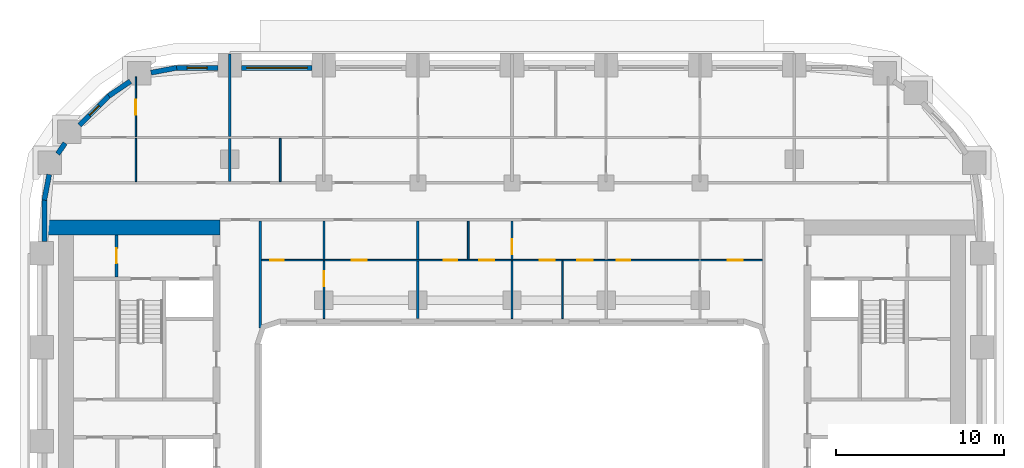
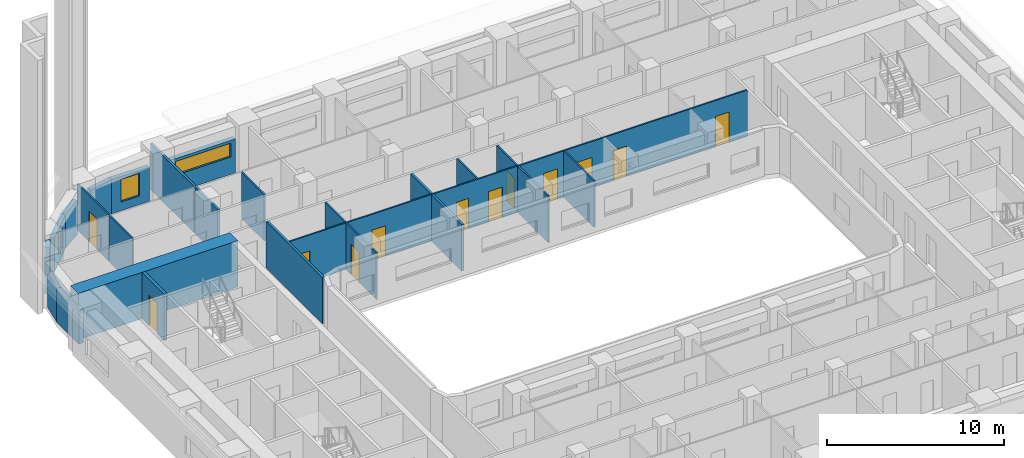
# One storey, part 7 of 22: 25 walls, 12 doors, 3 windows, 15 openings.
"""IFC4 building model written with IfcOpenShell, lengths in metres."""

from ifc_helpers import new_model, si_unit, direction, frame, frame_2d, origin, place, context, subcontext, project, spatial, rectangle, extrude, material, layer, layer_set, type_object, element, fill, save


model = new_model("IFC4")

# Units and contexts
model_context = context("Model", 3, precision=1e-05, world=origin(), true_north=direction((0.0, 1.0)))
body_context = subcontext(model_context, "Body", "Model", "MODEL_VIEW")
ifc_project = project(units=[si_unit("LENGTHUNIT", "METRE"), si_unit("AREAUNIT", "SQUARE_METRE"), si_unit("VOLUMEUNIT", "CUBIC_METRE"), si_unit("PLANEANGLEUNIT", "RADIAN"), si_unit("MASSUNIT", "GRAM", prefix="KILO")], contexts=[model_context])

# Site, building, storey
site_placement = place(None, origin())
site = spatial("IfcSite", under=ifc_project, at=site_placement, CompositionType="ELEMENT")
building_placement = place(site_placement, origin())
building = spatial("IfcBuilding", under=site, at=building_placement, Name="Kiln Ring Residences", CompositionType="ELEMENT")
storey_placement = place(building_placement, frame((0.0, 0.0, 55.0)))
storey = spatial("IfcBuildingStorey", under=building, at=storey_placement, Name="L13", CompositionType="ELEMENT", Elevation=55.0)

# Wall, opening, door
ifc_material_1 = material(Name="Gypsum board on steel studs", Category="steel")
ifc_layer_1 = layer(ifc_material_1, 0.199951171875)
ifc_layer_set_1 = layer_set([ifc_layer_1], Name="CORE-PARTITION-200")
wall_type_1 = type_object("IfcWallType", Name="CORE-PARTITION-200", PredefinedType="PARTITIONING", material=ifc_layer_set_1)
wall_1_placement = place(storey_placement, frame((-23.550048828125, 9.800048828125, 0.0), z_axis=(0.0, 0.0, 1.0), x_axis=(0.0, 1.0, 0.0)))
wall_1 = element("IfcWall", 1, at=wall_1_placement, inside=storey, type_object=wall_type_1, Name="Core partition west L13 3", PredefinedType="PARTITIONING", context=body_context, shape_type="SweptSolid", body=[
    extrude(rectangle(XDim=2.5, YDim=0.199951171875, at=frame_2d((1.25, 0.0))), origin(), (0.0, 0.0, 1.0), 3.199951171875),
])
opening_1_placement = place(wall_1_placement, frame((0.800048828125, 0.0, 0.0)))
opening_1 = element("IfcOpeningElement", 2, at=opening_1_placement, cuts=wall_1, Name="Opening L13-CW09", PredefinedType="OPENING", context=body_context, shape_type="SweptSolid", body=[
    extrude(rectangle(XDim=0.89990234375, YDim=2.10009765625, at=frame_2d((0.449951171875, 1.050048828125))), frame((0.0, 0.10986328125, 0.0), z_axis=(0.0, -1.0, 0.0), x_axis=(1.0, 0.0, 0.0)), (0.0, 0.0, 1.0), 0.219970703125),
])
ifc_material_2 = material(Name="Steel door leaf", Category="steel")
door_type_1 = type_object("IfcDoorType", Name="CORE-DOOR-ROOM", OperationType="SINGLE_SWING_LEFT", PredefinedType="DOOR", material=ifc_material_2)
door_1_placement = place(opening_1_placement, origin())
door_1 = element("IfcDoor", 3, at=door_1_placement, inside=storey, type_object=door_type_1, Name="Fire riser room L13-CW09", OperationType="SINGLE_SWING_LEFT", OverallHeight=2.10009765625, OverallWidth=0.89990234375, PredefinedType="DOOR", context=body_context, shape_type="SweptSolid", body=[
    extrude(rectangle(XDim=0.89990234375, YDim=2.10009765625, at=frame_2d((0.449951171875, 1.050048828125))), frame((0.0, 0.02490234375, 0.0), z_axis=(0.0, -1.0, 0.0), x_axis=(1.0, 0.0, 0.0)), (0.0, 0.0, 1.0), 0.050048828125),
])
fill(opening_1, door_1)

# Wall
ifc_material_3 = material(Name="Concrete C60/75", Category="concrete")
ifc_layer_2 = layer(ifc_material_3, 0.89990234375)
ifc_layer_set_2 = layer_set([ifc_layer_2], Name="CORE-WALL-RC900")
wall_type_2 = type_object("IfcWallType", Name="CORE-WALL-RC900", PredefinedType="SHEAR", material=ifc_layer_set_2)
wall_2_placement = place(storey_placement, frame((-17.39990234375, 12.75, 0.0), z_axis=(0.0, 0.0, 1.0), x_axis=(-1.0, 0.0, 0.0)))
element("IfcWall", 4, at=wall_2_placement, inside=storey, type_object=wall_type_2, Name="Core wall west L13 4", PredefinedType="SHEAR", context=body_context, shape_type="SweptSolid", body=[
    extrude(rectangle(XDim=10.400146484375, YDim=0.89990234375, at=frame_2d((5.2001953125, 0.0))), origin(), (0.0, 0.0, 1.0), 3.199951171875),
])

# Wall, opening, window
ifc_material_4 = material(Name="Brick masonry, dark clay brick", Category="masonry")
ifc_layer_3 = layer(ifc_material_4, 0.300048828125)
ifc_layer_set_3 = layer_set([ifc_layer_3], Name="EW-300 BRICK WALL")
wall_type_3 = type_object("IfcWallType", Name="EW-300 BRICK WALL", PredefinedType="SOLIDWALL", material=ifc_layer_set_3)
wall_3_placement = place(storey_placement, frame((-11.89990234375, 22.25, 0.0), z_axis=(0.0, 0.0, 1.0), x_axis=(-1.0, 0.0, 0.0)))
wall_3 = element("IfcWall", 5, at=wall_3_placement, inside=storey, type_object=wall_type_3, Name="Facade wall L13 34", PredefinedType="SOLIDWALL", context=body_context, shape_type="SweptSolid", body=[
    extrude(rectangle(XDim=4.2001953125, YDim=0.300048828125, at=frame_2d((2.10009765625, 0.0))), origin(), (0.0, 0.0, 1.0), 2.35009765625),
])
opening_2_placement = place(wall_3_placement, frame((0.300048828125, 0.0, 1.199951171875)))
opening_2 = element("IfcOpeningElement", 6, at=opening_2_placement, cuts=wall_3, Name="Opening W4", PredefinedType="OPENING", context=body_context, shape_type="SweptSolid", body=[
    extrude(rectangle(XDim=3.60009765625, YDim=0.949951171875, at=frame_2d((1.800048828125, 0.47509765625))), frame((0.0, 0.159912109375, 0.0), z_axis=(0.0, -1.0, 0.0), x_axis=(1.0, 0.0, 0.0)), (0.0, 0.0, 1.0), 0.320068359375),
])
ifc_material_5 = material(Name="Aluminium frame with double glazing", Category="aluminium")
window_type_1 = type_object("IfcWindowType", Name="WINDOW 3600 x 950", PartitioningType="SINGLE_PANEL", PredefinedType="WINDOW", material=ifc_material_5)
window_1_placement = place(opening_2_placement, origin())
window_1 = element("IfcWindow", 7, at=window_1_placement, inside=storey, type_object=window_type_1, Name="Window L13 20", OverallHeight=0.949951171875, OverallWidth=3.60009765625, PartitioningType="SINGLE_PANEL", PredefinedType="WINDOW", context=body_context, shape_type="SweptSolid", body=[
    extrude(rectangle(XDim=3.60009765625, YDim=0.949951171875, at=frame_2d((1.800048828125, 0.47509765625))), frame((0.0, 0.030029296875, 0.0), z_axis=(0.0, -1.0, 0.0), x_axis=(1.0, 0.0, 0.0)), (0.0, 0.0, 1.0), 0.06005859375),
])
fill(opening_2, window_1)

wall_4_placement = place(storey_placement, frame((-17.5, 22.25, 0.0), z_axis=(0.0, 0.0, 1.0), x_axis=(-1.0, 0.0, 0.0)))
wall_4 = element("IfcWall", 8, at=wall_4_placement, inside=storey, type_object=wall_type_3, Name="Facade wall L13 35", PredefinedType="SOLIDWALL", context=body_context, shape_type="SweptSolid", body=[
    extrude(rectangle(XDim=2.5, YDim=0.300048828125, at=frame_2d((1.25, 0.0))), origin(), (0.0, 0.0, 1.0), 2.35009765625),
])
opening_3_placement = place(wall_4_placement, frame((0.64990234375, 0.0, 0.60009765625)))
opening_3 = element("IfcOpeningElement", 9, at=opening_3_placement, cuts=wall_4, Name="Opening W1", PredefinedType="OPENING", context=body_context, shape_type="SweptSolid", body=[
    extrude(rectangle(XDim=1.199951171875, YDim=1.550048828125, at=frame_2d((0.60009765625, 0.77490234375))), frame((0.0, 0.159912109375, 0.0), z_axis=(0.0, -1.0, 0.0), x_axis=(1.0, 0.0, 0.0)), (0.0, 0.0, 1.0), 0.320068359375),
])
ifc_material_6 = material(Name="Aluminium frame with double glazing", Category="aluminium")
window_type_2 = type_object("IfcWindowType", Name="WINDOW 1200 x 1550", PartitioningType="SINGLE_PANEL", PredefinedType="WINDOW", material=ifc_material_6)
window_2_placement = place(opening_3_placement, origin())
window_2 = element("IfcWindow", 10, at=window_2_placement, inside=storey, type_object=window_type_2, Name="Window L13 21", OverallHeight=1.550048828125, OverallWidth=1.199951171875, PartitioningType="SINGLE_PANEL", PredefinedType="WINDOW", context=body_context, shape_type="SweptSolid", body=[
    extrude(rectangle(XDim=1.199951171875, YDim=1.550048828125, at=frame_2d((0.60009765625, 0.77490234375))), frame((0.0, 0.030029296875, 0.0), z_axis=(0.0, -1.0, 0.0), x_axis=(1.0, 0.0, 0.0)), (0.0, 0.0, 1.0), 0.06005859375),
])
fill(opening_3, window_2)

# Walls
wall_5_placement = place(storey_placement, frame((-19.971923828125, 22.252685546875, 0.0), z_axis=(0.0, 0.0, 1.0), x_axis=(-0.982297345734, -0.187328386968, 0.0)))
element("IfcWall", 11, at=wall_5_placement, inside=storey, type_object=wall_type_3, Name="Facade wall L13 36", PredefinedType="SOLIDWALL", context=body_context, shape_type="SweptSolid", body=[
    extrude(rectangle(XDim=1.55615234375, YDim=0.300048828125, at=frame_2d((0.778076171875, 0.0))), origin(), (0.0, 0.0, 1.0), 2.35009765625),
])
wall_6_placement = place(storey_placement, frame((-22.725830078125, 21.45361328125, 0.0), z_axis=(0.0, 0.0, 1.0), x_axis=(-0.827019875346, -0.562172683241, 0.0)))
element("IfcWall", 12, at=wall_6_placement, inside=storey, type_object=wall_type_3, Name="Facade wall L13 37", PredefinedType="SOLIDWALL", context=body_context, shape_type="SweptSolid", body=[
    extrude(rectangle(XDim=1.555908203125, YDim=0.300048828125, at=frame_2d((0.77783203125, 0.0))), origin(), (0.0, 0.0, 1.0), 2.35009765625),
])

# Wall, opening, window
wall_7_placement = place(storey_placement, frame((-23.990966796875, 20.596923828125, 0.0), z_axis=(0.0, 0.0, 1.0), x_axis=(-0.707106781187, -0.707106781187, 0.0)))
wall_7 = element("IfcWall", 13, at=wall_7_placement, inside=storey, type_object=wall_type_3, Name="Facade wall L13 38", PredefinedType="SOLIDWALL", context=body_context, shape_type="SweptSolid", body=[
    extrude(rectangle(XDim=2.5, YDim=0.300048828125, at=frame_2d((1.25, 0.0))), origin(), (0.0, 0.0, 1.0), 2.35009765625),
])
opening_4_placement = place(wall_7_placement, frame((0.85009765625, 0.0, 0.60009765625)))
opening_4 = element("IfcOpeningElement", 14, at=opening_4_placement, cuts=wall_7, Name="Opening W5", PredefinedType="OPENING", context=body_context, shape_type="SweptSolid", body=[
    extrude(rectangle(XDim=0.800048828125, YDim=1.550048828125, at=frame_2d((0.39990234375, 0.77490234375))), frame((0.0, 0.159912109375, 0.0), z_axis=(0.0, -1.0, 0.0), x_axis=(1.0, 0.0, 0.0)), (0.0, 0.0, 1.0), 0.320068359375),
])
ifc_material_7 = material(Name="Aluminium frame with double glazing", Category="aluminium")
window_type_3 = type_object("IfcWindowType", Name="WINDOW 800 x 1550", PartitioningType="SINGLE_PANEL", PredefinedType="WINDOW", material=ifc_material_7)
window_3_placement = place(opening_4_placement, origin())
window_3 = element("IfcWindow", 15, at=window_3_placement, inside=storey, type_object=window_type_3, Name="Window L13 22", OverallHeight=1.550048828125, OverallWidth=0.800048828125, PartitioningType="SINGLE_PANEL", PredefinedType="WINDOW", context=body_context, shape_type="SweptSolid", body=[
    extrude(rectangle(XDim=0.800048828125, YDim=1.550048828125, at=frame_2d((0.39990234375, 0.77490234375))), frame((0.0, 0.030029296875, 0.0), z_axis=(0.0, -1.0, 0.0), x_axis=(1.0, 0.0, 0.0)), (0.0, 0.0, 1.0), 0.06005859375),
])
fill(opening_4, window_3)

# Walls
wall_8_placement = place(storey_placement, frame((-26.61669921875, 17.7685546875, 0.0), z_axis=(0.0, 0.0, 1.0), x_axis=(-0.562000651531, -0.827136788977, 0.0)))
element("IfcWall", 16, at=wall_8_placement, inside=storey, type_object=wall_type_3, Name="Facade wall L13 39", PredefinedType="SOLIDWALL", context=body_context, shape_type="SweptSolid", body=[
    extrude(rectangle(XDim=0.777099609375, YDim=0.300048828125, at=frame_2d((0.388671875, 0.0))), origin(), (0.0, 0.0, 1.0), 3.199951171875),
])
wall_9_placement = place(storey_placement, frame((-27.56103515625, 15.900390625, 0.0), z_axis=(0.0, 0.0, 1.0), x_axis=(-0.187328386968, -0.982297345734, 0.0)))
element("IfcWall", 17, at=wall_9_placement, inside=storey, type_object=wall_type_3, Name="Facade wall L13 40", PredefinedType="SOLIDWALL", context=body_context, shape_type="SweptSolid", body=[
    extrude(rectangle(XDim=1.55615234375, YDim=0.300048828125, at=frame_2d((0.778076171875, 0.0))), origin(), (0.0, 0.0, 1.0), 2.35009765625),
])
wall_10_placement = place(storey_placement, frame((-27.85009765625, 14.39990234375, 0.0), z_axis=(0.0, 0.0, 1.0), x_axis=(0.0, -1.0, 0.0)))
element("IfcWall", 18, at=wall_10_placement, inside=storey, type_object=wall_type_3, Name="Facade wall L13 41", PredefinedType="SOLIDWALL", context=body_context, shape_type="SweptSolid", body=[
    extrude(rectangle(XDim=2.5, YDim=0.300048828125, at=frame_2d((1.25, 0.0))), origin(), (0.0, 0.0, 1.0), 2.35009765625),
])

# Wall, openings, doors
ifc_material_8 = material(Name="Gypsum board on steel studs", Category="steel")
ifc_layer_4 = layer(ifc_material_8, 0.10009765625)
ifc_layer_set_4 = layer_set([ifc_layer_4], Name="PARTITION-100")
wall_type_4 = type_object("IfcWallType", Name="PARTITION-100", PredefinedType="PARTITIONING", material=ifc_layer_set_4)
wall_11_placement = place(storey_placement, frame((-14.925048828125, 10.800048828125, 0.0), z_axis=(0.0, 0.0, 1.0), x_axis=(1.0, 0.0, 0.0)))
wall_11 = element("IfcWall", 19, at=wall_11_placement, inside=storey, type_object=wall_type_4, Name="Partition 004", PredefinedType="PARTITIONING", context=body_context, shape_type="SweptSolid", body=[
    extrude(rectangle(XDim=29.85009765625, YDim=0.10009765625, at=frame_2d((14.925048828125, 0.0))), origin(), (0.0, 0.0, 1.0), 3.199951171875),
])
opening_5_placement = place(wall_11_placement, frame((0.52490234375, 0.0, 0.0)))
opening_5 = element("IfcOpeningElement", 20, at=opening_5_placement, cuts=wall_11, Name="Opening L13-D006", PredefinedType="OPENING", context=body_context, shape_type="SweptSolid", body=[
    extrude(rectangle(XDim=0.800048828125, YDim=2.10009765625, at=frame_2d((0.39990234375, 1.050048828125))), frame((0.0, 0.06005859375, 0.0), z_axis=(0.0, -1.0, 0.0), x_axis=(1.0, 0.0, 0.0)), (0.0, 0.0, 1.0), 0.1201171875),
])
opening_6_placement = place(wall_11_placement, frame((5.375, 0.0, 0.0)))
opening_6 = element("IfcOpeningElement", 21, at=opening_6_placement, cuts=wall_11, Name="Opening L13-D007", PredefinedType="OPENING", context=body_context, shape_type="SweptSolid", body=[
    extrude(rectangle(XDim=0.89990234375, YDim=2.10009765625, at=frame_2d((0.449951171875, 1.050048828125))), frame((0.0, 0.06005859375, 0.0), z_axis=(0.0, -1.0, 0.0), x_axis=(1.0, 0.0, 0.0)), (0.0, 0.0, 1.0), 0.1201171875),
])
opening_7_placement = place(wall_11_placement, frame((10.875, 0.0, 0.0)))
opening_7 = element("IfcOpeningElement", 22, at=opening_7_placement, cuts=wall_11, Name="Opening L13-D011", PredefinedType="OPENING", context=body_context, shape_type="SweptSolid", body=[
    extrude(rectangle(XDim=0.800048828125, YDim=2.10009765625, at=frame_2d((0.39990234375, 1.050048828125))), frame((0.0, 0.06005859375, 0.0), z_axis=(0.0, -1.0, 0.0), x_axis=(1.0, 0.0, 0.0)), (0.0, 0.0, 1.0), 0.1201171875),
])
opening_8_placement = place(wall_11_placement, frame((12.97509765625, 0.0, 0.0)))
opening_8 = element("IfcOpeningElement", 23, at=opening_8_placement, cuts=wall_11, Name="Opening L13-D012", PredefinedType="OPENING", context=body_context, shape_type="SweptSolid", body=[
    extrude(rectangle(XDim=0.89990234375, YDim=2.10009765625, at=frame_2d((0.449951171875, 1.050048828125))), frame((0.0, 0.06005859375, 0.0), z_axis=(0.0, -1.0, 0.0), x_axis=(1.0, 0.0, 0.0)), (0.0, 0.0, 1.0), 0.1201171875),
])
opening_9_placement = place(wall_11_placement, frame((16.574951171875, 0.0, 0.0)))
opening_9 = element("IfcOpeningElement", 24, at=opening_9_placement, cuts=wall_11, Name="Opening L13-D013", PredefinedType="OPENING", context=body_context, shape_type="SweptSolid", body=[
    extrude(rectangle(XDim=0.89990234375, YDim=2.10009765625, at=frame_2d((0.449951171875, 1.050048828125))), frame((0.0, 0.06005859375, 0.0), z_axis=(0.0, -1.0, 0.0), x_axis=(1.0, 0.0, 0.0)), (0.0, 0.0, 1.0), 0.1201171875),
])
opening_10_placement = place(wall_11_placement, frame((18.824951171875, 0.0, 0.0)))
opening_10 = element("IfcOpeningElement", 25, at=opening_10_placement, cuts=wall_11, Name="Opening L13-D014", PredefinedType="OPENING", context=body_context, shape_type="SweptSolid", body=[
    extrude(rectangle(XDim=0.89990234375, YDim=2.10009765625, at=frame_2d((0.449951171875, 1.050048828125))), frame((0.0, 0.06005859375, 0.0), z_axis=(0.0, -1.0, 0.0), x_axis=(1.0, 0.0, 0.0)), (0.0, 0.0, 1.0), 0.1201171875),
])
opening_11_placement = place(wall_11_placement, frame((21.175048828125, 0.0, 0.0)))
opening_11 = element("IfcOpeningElement", 26, at=opening_11_placement, cuts=wall_11, Name="Opening L13-D016", PredefinedType="OPENING", context=body_context, shape_type="SweptSolid", body=[
    extrude(rectangle(XDim=0.800048828125, YDim=2.10009765625, at=frame_2d((0.39990234375, 1.050048828125))), frame((0.0, 0.06005859375, 0.0), z_axis=(0.0, -1.0, 0.0), x_axis=(1.0, 0.0, 0.0)), (0.0, 0.0, 1.0), 0.1201171875),
])
opening_12_placement = place(wall_11_placement, frame((27.77490234375, 0.0, 0.0)))
opening_12 = element("IfcOpeningElement", 27, at=opening_12_placement, cuts=wall_11, Name="Opening L13-D017", PredefinedType="OPENING", context=body_context, shape_type="SweptSolid", body=[
    extrude(rectangle(XDim=0.89990234375, YDim=2.10009765625, at=frame_2d((0.449951171875, 1.050048828125))), frame((0.0, 0.06005859375, 0.0), z_axis=(0.0, -1.0, 0.0), x_axis=(1.0, 0.0, 0.0)), (0.0, 0.0, 1.0), 0.1201171875),
])
ifc_material_9 = material(Name="Timber door leaf", Category="wood")
door_type_2 = type_object("IfcDoorType", Name="FLAT-DOOR-800-PL", OperationType="SINGLE_SWING_LEFT", PredefinedType="DOOR", material=ifc_material_9)
door_2_placement = place(opening_5_placement, origin())
door_2 = element("IfcDoor", 28, at=door_2_placement, inside=storey, type_object=door_type_2, Name="Door L13-D006", OperationType="SINGLE_SWING_RIGHT", OverallHeight=2.10009765625, OverallWidth=0.800048828125, PredefinedType="DOOR", context=body_context, shape_type="SweptSolid", body=[
    extrude(rectangle(XDim=0.800048828125, YDim=2.10009765625, at=frame_2d((0.39990234375, 1.050048828125))), frame((0.0, 0.02490234375, 0.0), z_axis=(0.0, -1.0, 0.0), x_axis=(1.0, 0.0, 0.0)), (0.0, 0.0, 1.0), 0.050048828125),
])
fill(opening_5, door_2)
door_3_placement = place(opening_7_placement, origin())
door_3 = element("IfcDoor", 29, at=door_3_placement, inside=storey, type_object=door_type_2, Name="Door L13-D011", OperationType="SINGLE_SWING_LEFT", OverallHeight=2.10009765625, OverallWidth=0.800048828125, PredefinedType="DOOR", context=body_context, shape_type="SweptSolid", body=[
    extrude(rectangle(XDim=0.800048828125, YDim=2.10009765625, at=frame_2d((0.39990234375, 1.050048828125))), frame((0.0, 0.02490234375, 0.0), z_axis=(0.0, -1.0, 0.0), x_axis=(1.0, 0.0, 0.0)), (0.0, 0.0, 1.0), 0.050048828125),
])
fill(opening_7, door_3)
door_4_placement = place(opening_11_placement, origin())
door_4 = element("IfcDoor", 30, at=door_4_placement, inside=storey, type_object=door_type_2, Name="Door L13-D016", OperationType="SINGLE_SWING_RIGHT", OverallHeight=2.10009765625, OverallWidth=0.800048828125, PredefinedType="DOOR", context=body_context, shape_type="SweptSolid", body=[
    extrude(rectangle(XDim=0.800048828125, YDim=2.10009765625, at=frame_2d((0.39990234375, 1.050048828125))), frame((0.0, 0.02490234375, 0.0), z_axis=(0.0, -1.0, 0.0), x_axis=(1.0, 0.0, 0.0)), (0.0, 0.0, 1.0), 0.050048828125),
])
fill(opening_11, door_4)
ifc_material_10 = material(Name="Timber door leaf", Category="wood")
door_type_3 = type_object("IfcDoorType", Name="FLAT-DOOR-900-PL", OperationType="SINGLE_SWING_LEFT", PredefinedType="DOOR", material=ifc_material_10)
door_5_placement = place(opening_6_placement, origin())
door_5 = element("IfcDoor", 31, at=door_5_placement, inside=storey, type_object=door_type_3, Name="Door L13-D007", OperationType="SINGLE_SWING_LEFT", OverallHeight=2.10009765625, OverallWidth=0.89990234375, PredefinedType="DOOR", context=body_context, shape_type="SweptSolid", body=[
    extrude(rectangle(XDim=0.89990234375, YDim=2.10009765625, at=frame_2d((0.449951171875, 1.050048828125))), frame((0.0, 0.02490234375, 0.0), z_axis=(0.0, -1.0, 0.0), x_axis=(1.0, 0.0, 0.0)), (0.0, 0.0, 1.0), 0.050048828125),
])
fill(opening_6, door_5)
door_6_placement = place(opening_8_placement, origin())
door_6 = element("IfcDoor", 32, at=door_6_placement, inside=storey, type_object=door_type_3, Name="Door L13-D012", OperationType="SINGLE_SWING_LEFT", OverallHeight=2.10009765625, OverallWidth=0.89990234375, PredefinedType="DOOR", context=body_context, shape_type="SweptSolid", body=[
    extrude(rectangle(XDim=0.89990234375, YDim=2.10009765625, at=frame_2d((0.449951171875, 1.050048828125))), frame((0.0, 0.02490234375, 0.0), z_axis=(0.0, -1.0, 0.0), x_axis=(1.0, 0.0, 0.0)), (0.0, 0.0, 1.0), 0.050048828125),
])
fill(opening_8, door_6)
door_7_placement = place(opening_9_placement, origin())
door_7 = element("IfcDoor", 33, at=door_7_placement, inside=storey, type_object=door_type_3, Name="Door L13-D013", OperationType="SINGLE_SWING_RIGHT", OverallHeight=2.10009765625, OverallWidth=0.89990234375, PredefinedType="DOOR", context=body_context, shape_type="SweptSolid", body=[
    extrude(rectangle(XDim=0.89990234375, YDim=2.10009765625, at=frame_2d((0.449951171875, 1.050048828125))), frame((0.0, 0.02490234375, 0.0), z_axis=(0.0, -1.0, 0.0), x_axis=(1.0, 0.0, 0.0)), (0.0, 0.0, 1.0), 0.050048828125),
])
fill(opening_9, door_7)
door_8_placement = place(opening_10_placement, origin())
door_8 = element("IfcDoor", 34, at=door_8_placement, inside=storey, type_object=door_type_3, Name="Door L13-D014", OperationType="SINGLE_SWING_RIGHT", OverallHeight=2.10009765625, OverallWidth=0.89990234375, PredefinedType="DOOR", context=body_context, shape_type="SweptSolid", body=[
    extrude(rectangle(XDim=0.89990234375, YDim=2.10009765625, at=frame_2d((0.449951171875, 1.050048828125))), frame((0.0, 0.02490234375, 0.0), z_axis=(0.0, -1.0, 0.0), x_axis=(1.0, 0.0, 0.0)), (0.0, 0.0, 1.0), 0.050048828125),
])
fill(opening_10, door_8)
door_9_placement = place(opening_12_placement, origin())
door_9 = element("IfcDoor", 35, at=door_9_placement, inside=storey, type_object=door_type_3, Name="Door L13-D017", OperationType="SINGLE_SWING_RIGHT", OverallHeight=2.10009765625, OverallWidth=0.89990234375, PredefinedType="DOOR", context=body_context, shape_type="SweptSolid", body=[
    extrude(rectangle(XDim=0.89990234375, YDim=2.10009765625, at=frame_2d((0.449951171875, 1.050048828125))), frame((0.0, 0.02490234375, 0.0), z_axis=(0.0, -1.0, 0.0), x_axis=(1.0, 0.0, 0.0)), (0.0, 0.0, 1.0), 0.050048828125),
])
fill(opening_12, door_9)

# Wall
wall_12_placement = place(storey_placement, frame((-22.39990234375, 15.47509765625, 0.0), z_axis=(0.0, 0.0, 1.0), x_axis=(0.0, 1.0, 0.0)))
element("IfcWall", 36, at=wall_12_placement, inside=storey, type_object=wall_type_4, Name="Partition 010", PredefinedType="PARTITIONING", context=body_context, shape_type="SweptSolid", body=[
    extrude(rectangle(XDim=2.574951171875, YDim=0.10009765625, at=frame_2d((1.28759765625, 0.0))), origin(), (0.0, 0.0, 1.0), 3.199951171875),
])

# Wall, opening, door
wall_13_placement = place(storey_placement, frame((-22.39990234375, 18.14990234375, 0.0), z_axis=(0.0, 0.0, 1.0), x_axis=(0.0, 1.0, 0.0)))
wall_13 = element("IfcWall", 37, at=wall_13_placement, inside=storey, type_object=wall_type_4, Name="Partition 011", PredefinedType="PARTITIONING", context=body_context, shape_type="SweptSolid", body=[
    extrude(rectangle(XDim=3.570068359375, YDim=0.10009765625, at=frame_2d((1.78515625, 0.0))), origin(), (0.0, 0.0, 1.0), 3.199951171875),
])
opening_13_placement = place(wall_13_placement, frame((1.298095703125, 0.0, 0.0)))
opening_13 = element("IfcOpeningElement", 38, at=opening_13_placement, cuts=wall_13, Name="Opening L13-D022", PredefinedType="OPENING", context=body_context, shape_type="SweptSolid", body=[
    extrude(rectangle(XDim=0.89990234375, YDim=2.10009765625, at=frame_2d((0.449951171875, 1.050048828125))), frame((0.0, 0.06005859375, 0.0), z_axis=(0.0, -1.0, 0.0), x_axis=(1.0, 0.0, 0.0)), (0.0, 0.0, 1.0), 0.1201171875),
])
door_10_placement = place(opening_13_placement, origin())
door_10 = element("IfcDoor", 39, at=door_10_placement, inside=storey, type_object=door_type_3, Name="Door L13-D022", OperationType="SINGLE_SWING_RIGHT", OverallHeight=2.10009765625, OverallWidth=0.89990234375, PredefinedType="DOOR", context=body_context, shape_type="SweptSolid", body=[
    extrude(rectangle(XDim=0.89990234375, YDim=2.10009765625, at=frame_2d((0.449951171875, 1.050048828125))), frame((0.0, 0.02490234375, 0.0), z_axis=(0.0, -1.0, 0.0), x_axis=(1.0, 0.0, 0.0)), (0.0, 0.0, 1.0), 0.050048828125),
])
fill(opening_13, door_10)

# Wall
wall_14_placement = place(storey_placement, frame((-13.800048828125, 15.47509765625, 0.0), z_axis=(0.0, 0.0, 1.0), x_axis=(0.0, 1.0, 0.0)))
element("IfcWall", 40, at=wall_14_placement, inside=storey, type_object=wall_type_4, Name="Partition 019", PredefinedType="PARTITIONING", context=body_context, shape_type="SweptSolid", body=[
    extrude(rectangle(XDim=2.574951171875, YDim=0.10009765625, at=frame_2d((1.28759765625, 0.0))), origin(), (0.0, 0.0, 1.0), 3.199951171875),
])

# Wall, opening, door
wall_15_placement = place(storey_placement, frame((-11.199951171875, 7.320068359375, 0.0), z_axis=(0.0, 0.0, 1.0), x_axis=(0.0, 1.0, 0.0)))
wall_15 = element("IfcWall", 41, at=wall_15_placement, inside=storey, type_object=wall_type_4, Name="Partition 024", PredefinedType="PARTITIONING", context=body_context, shape_type="SweptSolid", body=[
    extrude(rectangle(XDim=3.429931640625, YDim=0.10009765625, at=frame_2d((1.71484375, 0.0))), origin(), (0.0, 0.0, 1.0), 3.199951171875),
])
opening_14_placement = place(wall_15_placement, frame((1.929931640625, 0.0, 0.0)))
opening_14 = element("IfcOpeningElement", 42, at=opening_14_placement, cuts=wall_15, Name="Opening L13-D008", PredefinedType="OPENING", context=body_context, shape_type="SweptSolid", body=[
    extrude(rectangle(XDim=0.89990234375, YDim=2.10009765625, at=frame_2d((0.449951171875, 1.050048828125))), frame((0.0, 0.06005859375, 0.0), z_axis=(0.0, -1.0, 0.0), x_axis=(1.0, 0.0, 0.0)), (0.0, 0.0, 1.0), 0.1201171875),
])
door_11_placement = place(opening_14_placement, origin())
door_11 = element("IfcDoor", 43, at=door_11_placement, inside=storey, type_object=door_type_3, Name="Door L13-D008", OperationType="SINGLE_SWING_LEFT", OverallHeight=2.10009765625, OverallWidth=0.89990234375, PredefinedType="DOOR", context=body_context, shape_type="SweptSolid", body=[
    extrude(rectangle(XDim=0.89990234375, YDim=2.10009765625, at=frame_2d((0.449951171875, 1.050048828125))), frame((0.0, 0.02490234375, 0.0), z_axis=(0.0, -1.0, 0.0), x_axis=(1.0, 0.0, 0.0)), (0.0, 0.0, 1.0), 0.050048828125),
])
fill(opening_14, door_11)

# Walls
for number, where, z_axis, x_axis, name in (
    (44, (-11.199951171875, 10.85009765625, 0.0), (0.0, 0.0, 1.0), (0.0, 1.0, 0.0), "Partition 025"),
    (45, (-2.60009765625, 10.85009765625, 0.0), (0.0, 0.0, 1.0), (0.0, 1.0, 0.0), "Partition 037"),
):
    element("IfcWall", number, at=place(storey_placement, frame(where, z_axis=z_axis, x_axis=x_axis)), inside=storey, type_object=wall_type_4, Name=name, PredefinedType="PARTITIONING", context=body_context, shape_type="SweptSolid", body=[
        extrude(rectangle(XDim=2.27490234375, YDim=0.10009765625, at=frame_2d((1.137451171875, 0.0))), origin(), (0.0, 0.0, 1.0), 3.199951171875),
    ])
wall_16_placement = place(storey_placement, frame((0.0, 7.320068359375, 0.0), z_axis=(0.0, 0.0, 1.0), x_axis=(0.0, 1.0, 0.0)))
element("IfcWall", 46, at=wall_16_placement, inside=storey, type_object=wall_type_4, Name="Partition 042", PredefinedType="PARTITIONING", context=body_context, shape_type="SweptSolid", body=[
    extrude(rectangle(XDim=3.429931640625, YDim=0.10009765625, at=frame_2d((1.71484375, 0.0))), origin(), (0.0, 0.0, 1.0), 3.199951171875),
])

# Wall, opening, door
wall_17_placement = place(storey_placement, frame((0.0, 10.85009765625, 0.0), z_axis=(0.0, 0.0, 1.0), x_axis=(0.0, 1.0, 0.0)))
wall_17 = element("IfcWall", 47, at=wall_17_placement, inside=storey, type_object=wall_type_4, Name="Partition 043", PredefinedType="PARTITIONING", context=body_context, shape_type="SweptSolid", body=[
    extrude(rectangle(XDim=2.27490234375, YDim=0.10009765625, at=frame_2d((1.137451171875, 0.0))), origin(), (0.0, 0.0, 1.0), 3.199951171875),
])
opening_15_placement = place(wall_17_placement, frame((0.299072265625, 0.0, 0.0)))
opening_15 = element("IfcOpeningElement", 48, at=opening_15_placement, cuts=wall_17, Name="Opening L13-D010", PredefinedType="OPENING", context=body_context, shape_type="SweptSolid", body=[
    extrude(rectangle(XDim=0.89990234375, YDim=2.10009765625, at=frame_2d((0.449951171875, 1.050048828125))), frame((0.0, 0.06005859375, 0.0), z_axis=(0.0, -1.0, 0.0), x_axis=(1.0, 0.0, 0.0)), (0.0, 0.0, 1.0), 0.1201171875),
])
door_12_placement = place(opening_15_placement, origin())
door_12 = element("IfcDoor", 49, at=door_12_placement, inside=storey, type_object=door_type_3, Name="Door L13-D010", OperationType="SINGLE_SWING_RIGHT", OverallHeight=2.10009765625, OverallWidth=0.89990234375, PredefinedType="DOOR", context=body_context, shape_type="SweptSolid", body=[
    extrude(rectangle(XDim=0.89990234375, YDim=2.10009765625, at=frame_2d((0.449951171875, 1.050048828125))), frame((0.0, 0.02490234375, 0.0), z_axis=(0.0, -1.0, 0.0), x_axis=(1.0, 0.0, 0.0)), (0.0, 0.0, 1.0), 0.050048828125),
])
fill(opening_15, door_12)

# Walls
wall_18_placement = place(storey_placement, frame((3.0, 7.320068359375, 0.0), z_axis=(0.0, 0.0, 1.0), x_axis=(0.0, 1.0, 0.0)))
element("IfcWall", 50, at=wall_18_placement, inside=storey, type_object=wall_type_4, Name="Partition 047", PredefinedType="PARTITIONING", context=body_context, shape_type="SweptSolid", body=[
    extrude(rectangle(XDim=3.429931640625, YDim=0.10009765625, at=frame_2d((1.71484375, 0.0))), origin(), (0.0, 0.0, 1.0), 3.199951171875),
])
ifc_material_11 = material(Name="Brick masonry partition", Category="masonry")
ifc_layer_5 = layer(ifc_material_11, 0.14990234375)
ifc_layer_set_5 = layer_set([ifc_layer_5], Name="PARTITION-150-ei60")
wall_type_5 = type_object("IfcWallType", Name="PARTITION-150-ei60", PredefinedType="PARTITIONING", material=ifc_layer_set_5)
wall_19_placement = place(storey_placement, frame((-16.800048828125, 15.47509765625, 0.0), z_axis=(0.0, 0.0, 1.0), x_axis=(0.0, 1.0, 0.0)))
element("IfcWall", 51, at=wall_19_placement, inside=storey, type_object=wall_type_5, Name="Partition 014", PredefinedType="PARTITIONING", context=body_context, shape_type="SweptSolid", body=[
    extrude(rectangle(XDim=2.574951171875, YDim=0.14990234375, at=frame_2d((1.28759765625, 0.0))), origin(), (0.0, 0.0, 1.0), 3.199951171875),
])
wall_20_placement = place(storey_placement, frame((-16.800048828125, 18.14990234375, 0.0), z_axis=(0.0, 0.0, 1.0), x_axis=(0.0, 1.0, 0.0)))
element("IfcWall", 52, at=wall_20_placement, inside=storey, type_object=wall_type_5, Name="Partition 015", PredefinedType="PARTITIONING", context=body_context, shape_type="SweptSolid", body=[
    extrude(rectangle(XDim=4.93017578125, YDim=0.14990234375, at=frame_2d((2.465087890625, 0.0))), origin(), (0.0, 0.0, 1.0), 3.199951171875),
])
wall_21_placement = place(storey_placement, frame((-15.0, 6.768798828125, 0.0), z_axis=(0.0, 0.0, 1.0), x_axis=(0.0, 1.0, 0.0)))
element("IfcWall", 53, at=wall_21_placement, inside=storey, type_object=wall_type_5, Name="Partition 017", PredefinedType="PARTITIONING", context=body_context, shape_type="SweptSolid", body=[
    extrude(rectangle(XDim=6.356201171875, YDim=0.14990234375, at=frame_2d((3.17822265625, 0.0))), origin(), (0.0, 0.0, 1.0), 3.199951171875),
])
wall_22_placement = place(storey_placement, frame((-5.60009765625, 7.320068359375, 0.0), z_axis=(0.0, 0.0, 1.0), x_axis=(0.0, 1.0, 0.0)))
element("IfcWall", 54, at=wall_22_placement, inside=storey, type_object=wall_type_5, Name="Partition 035", PredefinedType="PARTITIONING", context=body_context, shape_type="SweptSolid", body=[
    extrude(rectangle(XDim=3.429931640625, YDim=0.14990234375, at=frame_2d((1.71484375, 0.0))), origin(), (0.0, 0.0, 1.0), 3.199951171875),
])
wall_23_placement = place(storey_placement, frame((-5.60009765625, 10.85009765625, 0.0), z_axis=(0.0, 0.0, 1.0), x_axis=(0.0, 1.0, 0.0)))
element("IfcWall", 55, at=wall_23_placement, inside=storey, type_object=wall_type_5, Name="Partition 036", PredefinedType="PARTITIONING", context=body_context, shape_type="SweptSolid", body=[
    extrude(rectangle(XDim=2.27490234375, YDim=0.14990234375, at=frame_2d((1.137451171875, 0.0))), origin(), (0.0, 0.0, 1.0), 3.199951171875),
])

save(model, "model.ifc")
